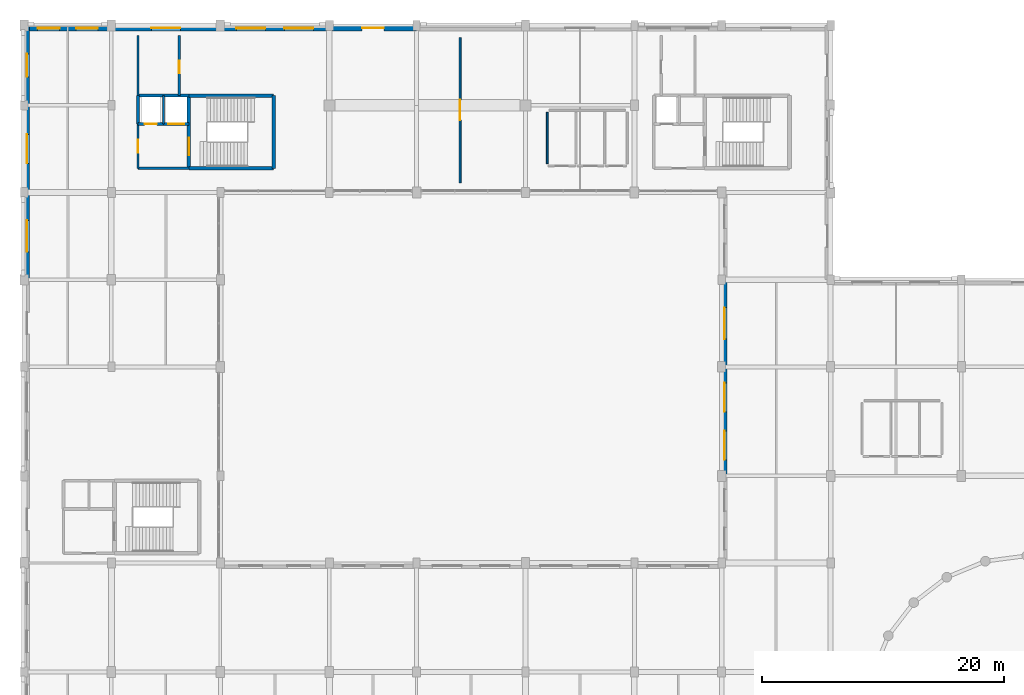
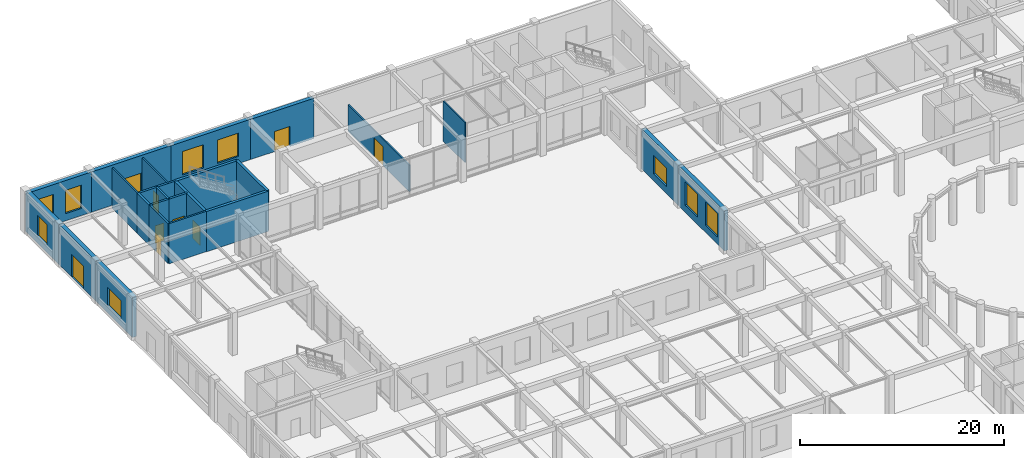
# One storey, part 49 of 64: 24 walls, 9 doors, 9 windows, 18 openings.
"""IFC4 building model written with IfcOpenShell, lengths in metres."""

from ifc_helpers import new_model, si_unit, direction, frame, frame_2d, origin, place, context, subcontext, project, spatial, rectangle, extrude, material, layer, layer_set, type_object, element, fill, save


model = new_model("IFC4")

# Units and contexts
model_context = context("Model", 3, precision=1e-05, world=origin(), true_north=direction((0.0, 1.0)))
body_context = subcontext(model_context, "Body", "Model", "MODEL_VIEW")
ifc_project = project(units=[si_unit("LENGTHUNIT", "METRE"), si_unit("AREAUNIT", "SQUARE_METRE"), si_unit("VOLUMEUNIT", "CUBIC_METRE"), si_unit("PLANEANGLEUNIT", "RADIAN"), si_unit("MASSUNIT", "GRAM", prefix="KILO")], contexts=[model_context])

# Site, building, storey
site_placement = place(None, origin())
site = spatial("IfcSite", under=ifc_project, at=site_placement, CompositionType="ELEMENT")
building_placement = place(site_placement, origin())
building = spatial("IfcBuilding", under=site, at=building_placement, Name="Clarverna Civic Hall", CompositionType="ELEMENT")
storey_placement = place(building_placement, origin())
storey = spatial("IfcBuildingStorey", under=building, at=storey_placement, Name="L00", CompositionType="ELEMENT", Elevation=0.0)

# Wall, opening, window
ifc_material_1 = material(Name="Precast concrete C40/50", Category="concrete")
ifc_layer_1 = layer(ifc_material_1, 0.449951171875)
ifc_layer_set_1 = layer_set([ifc_layer_1], Name="Precast concrete C40/50")
wall_type_1 = type_object("IfcWallType", Name="EW-01", PredefinedType="SOLIDWALL", material=ifc_layer_set_1)
wall_1_placement = place(storey_placement, frame((0.22509765625, 95.0, 0.0), z_axis=(0.0, 0.0, 1.0), x_axis=(0.0, 1.0, 0.0)))
wall_1 = element("IfcWall", 1, at=wall_1_placement, inside=storey, type_object=wall_type_1, Name="EW-01-013", PredefinedType="SOLIDWALL", context=body_context, shape_type="SweptSolid", body=[
    extrude(rectangle(XDim=7.199951171875, YDim=0.449951171875, at=frame_2d((3.60009765625, 0.0))), origin(), (0.0, 0.0, 1.0), 4.820068359375),
])
opening_1_placement = place(wall_1_placement, frame((2.300048828125, 0.0, 0.85009765625)))
opening_1 = element("IfcOpeningElement", 2, at=opening_1_placement, cuts=wall_1, Name="Opening WN-18", PredefinedType="OPENING", context=body_context, shape_type="SweptSolid", body=[
    extrude(rectangle(XDim=2.60009765625, YDim=2.199951171875, at=frame_2d((1.300048828125, 1.10009765625))), frame((0.0, 0.23486328125, 0.0), z_axis=(0.0, -1.0, 0.0), x_axis=(1.0, 0.0, 0.0)), (0.0, 0.0, 1.0), 0.469970703125),
])
ifc_material_2 = material(Name="Solar-Control Argon Low-E Double Glazing", Category="glass")
window_type_1 = type_object("IfcWindowType", Name="WN-18", PartitioningType="TRIPLE_PANEL_VERTICAL", PredefinedType="WINDOW", material=ifc_material_2)
window_1_placement = place(opening_1_placement, origin())
window_1 = element("IfcWindow", 3, at=window_1_placement, inside=storey, type_object=window_type_1, Name="WN-18-002", OverallHeight=2.199951171875, OverallWidth=2.60009765625, PartitioningType="TRIPLE_PANEL_VERTICAL", PredefinedType="WINDOW", context=body_context, shape_type="SweptSolid", body=[
    extrude(rectangle(XDim=2.60009765625, YDim=2.199951171875, at=frame_2d((1.300048828125, 1.10009765625))), frame((0.0, 0.030029296875, 0.0), z_axis=(0.0, -1.0, 0.0), x_axis=(1.0, 0.0, 0.0)), (0.0, 0.0, 1.0), 0.06005859375),
])
fill(opening_1, window_1)

# Wall, opening, door
wall_2_placement = place(storey_placement, frame((0.22509765625, 102.199951171875, 0.0), z_axis=(0.0, 0.0, 1.0), x_axis=(0.0, 1.0, 0.0)))
wall_2 = element("IfcWall", 4, at=wall_2_placement, inside=storey, type_object=wall_type_1, Name="EW-01-014", PredefinedType="SOLIDWALL", context=body_context, shape_type="SweptSolid", body=[
    extrude(rectangle(XDim=7.199951171875, YDim=0.449951171875, at=frame_2d((3.60009765625, 0.0))), origin(), (0.0, 0.0, 1.0), 4.820068359375),
])
opening_2_placement = place(wall_2_placement, frame((2.39990234375, 0.0, 0.0)))
opening_2 = element("IfcOpeningElement", 5, at=opening_2_placement, cuts=wall_2, Name="Opening ED-01", PredefinedType="OPENING", context=body_context, shape_type="SweptSolid", body=[
    extrude(rectangle(XDim=2.39990234375, YDim=2.699951171875, at=frame_2d((1.199951171875, 1.35009765625))), frame((0.0, 0.23486328125, 0.0), z_axis=(0.0, -1.0, 0.0), x_axis=(1.0, 0.0, 0.0)), (0.0, 0.0, 1.0), 0.469970703125),
])
ifc_material_3 = material(Name="Anodised Bronze Glazed Door")
door_type_1 = type_object("IfcDoorType", Name="ED-01", OperationType="DOUBLE_DOOR_SINGLE_SWING", PredefinedType="DOOR", material=ifc_material_3)
door_1_placement = place(opening_2_placement, origin())
door_1 = element("IfcDoor", 6, at=door_1_placement, inside=storey, type_object=door_type_1, Name="ED-01-002", OperationType="DOUBLE_DOOR_SINGLE_SWING", OverallHeight=2.699951171875, OverallWidth=2.39990234375, PredefinedType="DOOR", context=body_context, shape_type="SweptSolid", body=[
    extrude(rectangle(XDim=2.39990234375, YDim=2.699951171875, at=frame_2d((1.199951171875, 1.35009765625))), frame((0.0, 0.02490234375, 0.0), z_axis=(0.0, -1.0, 0.0), x_axis=(1.0, 0.0, 0.0)), (0.0, 0.0, 1.0), 0.050048828125),
])
fill(opening_2, door_1)

# Wall, opening, window
wall_3_placement = place(storey_placement, frame((0.22509765625, 109.39990234375, 0.0), z_axis=(0.0, 0.0, 1.0), x_axis=(0.0, 1.0, 0.0)))
wall_3 = element("IfcWall", 7, at=wall_3_placement, inside=storey, type_object=wall_type_1, Name="EW-01-015", PredefinedType="SOLIDWALL", context=body_context, shape_type="SweptSolid", body=[
    extrude(rectangle(XDim=6.60009765625, YDim=0.449951171875, at=frame_2d((3.300048828125, 0.0))), origin(), (0.0, 0.0, 1.0), 4.820068359375),
])
opening_3_placement = place(wall_3_placement, frame((2.35009765625, 0.0, 0.85009765625)))
opening_3 = element("IfcOpeningElement", 8, at=opening_3_placement, cuts=wall_3, Name="Opening WN-30", PredefinedType="OPENING", context=body_context, shape_type="SweptSolid", body=[
    extrude(rectangle(XDim=1.89990234375, YDim=2.5, at=frame_2d((0.949951171875, 1.25))), frame((0.0, 0.23486328125, 0.0), z_axis=(0.0, -1.0, 0.0), x_axis=(1.0, 0.0, 0.0)), (0.0, 0.0, 1.0), 0.469970703125),
])
window_type_2 = type_object("IfcWindowType", Name="WN-30", PartitioningType="DOUBLE_PANEL_VERTICAL", PredefinedType="WINDOW", material=ifc_material_2)
window_2_placement = place(opening_3_placement, origin())
window_2 = element("IfcWindow", 9, at=window_2_placement, inside=storey, type_object=window_type_2, Name="WN-30-003", OverallHeight=2.5, OverallWidth=1.89990234375, PartitioningType="DOUBLE_PANEL_VERTICAL", PredefinedType="WINDOW", context=body_context, shape_type="SweptSolid", body=[
    extrude(rectangle(XDim=1.89990234375, YDim=2.5, at=frame_2d((0.949951171875, 1.25))), frame((0.0, 0.030029296875, 0.0), z_axis=(0.0, -1.0, 0.0), x_axis=(1.0, 0.0, 0.0)), (0.0, 0.0, 1.0), 0.06005859375),
])
fill(opening_3, window_2)

# Wall, openings, windows
wall_4_placement = place(storey_placement, frame((0.0, 115.77490234375, 0.0), z_axis=(0.0, 0.0, 1.0), x_axis=(1.0, 0.0, 0.0)))
wall_4 = element("IfcWall", 10, at=wall_4_placement, inside=storey, type_object=wall_type_1, Name="EW-01-016", PredefinedType="SOLIDWALL", context=body_context, shape_type="SweptSolid", body=[
    extrude(rectangle(XDim=7.199951171875, YDim=0.449951171875, at=frame_2d((3.60009765625, 0.0))), origin(), (0.0, 0.0, 1.0), 4.820068359375),
])
opening_4_placement = place(wall_4_placement, frame((1.115966796875, 0.0, 0.85009765625)))
opening_4 = element("IfcOpeningElement", 11, at=opening_4_placement, cuts=wall_4, Name="Opening WN-01", PredefinedType="OPENING", context=body_context, shape_type="SweptSolid", body=[
    extrude(rectangle(XDim=1.800048828125, YDim=2.800048828125, at=frame_2d((0.89990234375, 1.39990234375))), frame((0.0, 0.23486328125, 0.0), z_axis=(0.0, -1.0, 0.0), x_axis=(1.0, 0.0, 0.0)), (0.0, 0.0, 1.0), 0.469970703125),
])
opening_5_placement = place(wall_4_placement, frame((4.283935546875, 0.0, 0.85009765625)))
opening_5 = element("IfcOpeningElement", 12, at=opening_5_placement, cuts=wall_4, Name="Opening WN-01", PredefinedType="OPENING", context=body_context, shape_type="SweptSolid", body=[
    extrude(rectangle(XDim=1.800048828125, YDim=2.800048828125, at=frame_2d((0.89990234375, 1.39990234375))), frame((0.0, 0.23486328125, 0.0), z_axis=(0.0, -1.0, 0.0), x_axis=(1.0, 0.0, 0.0)), (0.0, 0.0, 1.0), 0.469970703125),
])
window_type_3 = type_object("IfcWindowType", Name="WN-01", PartitioningType="DOUBLE_PANEL_VERTICAL", PredefinedType="WINDOW", material=ifc_material_2)
window_3_placement = place(opening_4_placement, origin())
window_3 = element("IfcWindow", 13, at=window_3_placement, inside=storey, type_object=window_type_3, Name="WN-01-005", OverallHeight=2.800048828125, OverallWidth=1.800048828125, PartitioningType="DOUBLE_PANEL_VERTICAL", PredefinedType="WINDOW", context=body_context, shape_type="SweptSolid", body=[
    extrude(rectangle(XDim=1.800048828125, YDim=2.800048828125, at=frame_2d((0.89990234375, 1.39990234375))), frame((0.0, 0.030029296875, 0.0), z_axis=(0.0, -1.0, 0.0), x_axis=(1.0, 0.0, 0.0)), (0.0, 0.0, 1.0), 0.06005859375),
])
fill(opening_4, window_3)
window_4_placement = place(opening_5_placement, origin())
window_4 = element("IfcWindow", 14, at=window_4_placement, inside=storey, type_object=window_type_3, Name="WN-01-006", OverallHeight=2.800048828125, OverallWidth=1.800048828125, PartitioningType="DOUBLE_PANEL_VERTICAL", PredefinedType="WINDOW", context=body_context, shape_type="SweptSolid", body=[
    extrude(rectangle(XDim=1.800048828125, YDim=2.800048828125, at=frame_2d((0.89990234375, 1.39990234375))), frame((0.0, 0.030029296875, 0.0), z_axis=(0.0, -1.0, 0.0), x_axis=(1.0, 0.0, 0.0)), (0.0, 0.0, 1.0), 0.06005859375),
])
fill(opening_5, window_4)

# Wall, opening, door
wall_5_placement = place(storey_placement, frame((7.199951171875, 115.77490234375, 0.0), z_axis=(0.0, 0.0, 1.0), x_axis=(1.0, 0.0, 0.0)))
wall_5 = element("IfcWall", 15, at=wall_5_placement, inside=storey, type_object=wall_type_1, Name="EW-01-017", PredefinedType="SOLIDWALL", context=body_context, shape_type="SweptSolid", body=[
    extrude(rectangle(XDim=9.0, YDim=0.449951171875, at=frame_2d((4.5, 0.0))), origin(), (0.0, 0.0, 1.0), 4.820068359375),
])
opening_6_placement = place(wall_5_placement, frame((3.300048828125, 0.0, 0.0)))
opening_6 = element("IfcOpeningElement", 16, at=opening_6_placement, cuts=wall_5, Name="Opening ED-01", PredefinedType="OPENING", context=body_context, shape_type="SweptSolid", body=[
    extrude(rectangle(XDim=2.39990234375, YDim=2.699951171875, at=frame_2d((1.199951171875, 1.35009765625))), frame((0.0, 0.23486328125, 0.0), z_axis=(0.0, -1.0, 0.0), x_axis=(1.0, 0.0, 0.0)), (0.0, 0.0, 1.0), 0.469970703125),
])
door_2_placement = place(opening_6_placement, origin())
door_2 = element("IfcDoor", 17, at=door_2_placement, inside=storey, type_object=door_type_1, Name="ED-01-003", OperationType="DOUBLE_DOOR_SINGLE_SWING", OverallHeight=2.699951171875, OverallWidth=2.39990234375, PredefinedType="DOOR", context=body_context, shape_type="SweptSolid", body=[
    extrude(rectangle(XDim=2.39990234375, YDim=2.699951171875, at=frame_2d((1.199951171875, 1.35009765625))), frame((0.0, 0.02490234375, 0.0), z_axis=(0.0, -1.0, 0.0), x_axis=(1.0, 0.0, 0.0)), (0.0, 0.0, 1.0), 0.050048828125),
])
fill(opening_6, door_2)

# Wall, openings, windows
wall_6_placement = place(storey_placement, frame((16.199951171875, 115.77490234375, 0.0), z_axis=(0.0, 0.0, 1.0), x_axis=(1.0, 0.0, 0.0)))
wall_6 = element("IfcWall", 18, at=wall_6_placement, inside=storey, type_object=wall_type_1, Name="EW-01-018", PredefinedType="SOLIDWALL", context=body_context, shape_type="SweptSolid", body=[
    extrude(rectangle(XDim=9.0, YDim=0.449951171875, at=frame_2d((4.5, 0.0))), origin(), (0.0, 0.0, 1.0), 4.820068359375),
])
opening_7_placement = place(wall_6_placement, frame((1.320068359375, 0.0, 0.85009765625)))
opening_7 = element("IfcOpeningElement", 19, at=opening_7_placement, cuts=wall_6, Name="Opening WN-02", PredefinedType="OPENING", context=body_context, shape_type="SweptSolid", body=[
    extrude(rectangle(XDim=2.39990234375, YDim=2.800048828125, at=frame_2d((1.199951171875, 1.39990234375))), frame((0.0, 0.23486328125, 0.0), z_axis=(0.0, -1.0, 0.0), x_axis=(1.0, 0.0, 0.0)), (0.0, 0.0, 1.0), 0.469970703125),
])
opening_8_placement = place(wall_6_placement, frame((5.280029296875, 0.0, 0.85009765625)))
opening_8 = element("IfcOpeningElement", 20, at=opening_8_placement, cuts=wall_6, Name="Opening WN-02", PredefinedType="OPENING", context=body_context, shape_type="SweptSolid", body=[
    extrude(rectangle(XDim=2.39990234375, YDim=2.800048828125, at=frame_2d((1.199951171875, 1.39990234375))), frame((0.0, 0.23486328125, 0.0), z_axis=(0.0, -1.0, 0.0), x_axis=(1.0, 0.0, 0.0)), (0.0, 0.0, 1.0), 0.469970703125),
])
window_type_4 = type_object("IfcWindowType", Name="WN-02", PartitioningType="TRIPLE_PANEL_VERTICAL", PredefinedType="WINDOW", material=ifc_material_2)
window_5_placement = place(opening_7_placement, origin())
window_5 = element("IfcWindow", 21, at=window_5_placement, inside=storey, type_object=window_type_4, Name="WN-02-003", OverallHeight=2.800048828125, OverallWidth=2.39990234375, PartitioningType="TRIPLE_PANEL_VERTICAL", PredefinedType="WINDOW", context=body_context, shape_type="SweptSolid", body=[
    extrude(rectangle(XDim=2.39990234375, YDim=2.800048828125, at=frame_2d((1.199951171875, 1.39990234375))), frame((0.0, 0.030029296875, 0.0), z_axis=(0.0, -1.0, 0.0), x_axis=(1.0, 0.0, 0.0)), (0.0, 0.0, 1.0), 0.06005859375),
])
fill(opening_7, window_5)
window_6_placement = place(opening_8_placement, origin())
window_6 = element("IfcWindow", 22, at=window_6_placement, inside=storey, type_object=window_type_4, Name="WN-02-004", OverallHeight=2.800048828125, OverallWidth=2.39990234375, PartitioningType="TRIPLE_PANEL_VERTICAL", PredefinedType="WINDOW", context=body_context, shape_type="SweptSolid", body=[
    extrude(rectangle(XDim=2.39990234375, YDim=2.800048828125, at=frame_2d((1.199951171875, 1.39990234375))), frame((0.0, 0.030029296875, 0.0), z_axis=(0.0, -1.0, 0.0), x_axis=(1.0, 0.0, 0.0)), (0.0, 0.0, 1.0), 0.06005859375),
])
fill(opening_8, window_6)

# Wall, opening, door
wall_7_placement = place(storey_placement, frame((25.199951171875, 115.77490234375, 0.0), z_axis=(0.0, 0.0, 1.0), x_axis=(1.0, 0.0, 0.0)))
wall_7 = element("IfcWall", 23, at=wall_7_placement, inside=storey, type_object=wall_type_1, Name="EW-01-019", PredefinedType="SOLIDWALL", context=body_context, shape_type="SweptSolid", body=[
    extrude(rectangle(XDim=7.199951171875, YDim=0.449951171875, at=frame_2d((3.60009765625, 0.0))), origin(), (0.0, 0.0, 1.0), 4.820068359375),
])
opening_9_placement = place(wall_7_placement, frame((2.699951171875, 0.0, 0.0)))
opening_9 = element("IfcOpeningElement", 24, at=opening_9_placement, cuts=wall_7, Name="Opening ED-02", PredefinedType="OPENING", context=body_context, shape_type="SweptSolid", body=[
    extrude(rectangle(XDim=1.800048828125, YDim=2.39990234375, at=frame_2d((0.89990234375, 1.199951171875))), frame((0.0, 0.23486328125, 0.0), z_axis=(0.0, -1.0, 0.0), x_axis=(1.0, 0.0, 0.0)), (0.0, 0.0, 1.0), 0.469970703125),
])
door_type_2 = type_object("IfcDoorType", Name="ED-02", OperationType="DOUBLE_DOOR_SINGLE_SWING", PredefinedType="DOOR", material=ifc_material_3)
door_3_placement = place(opening_9_placement, origin())
door_3 = element("IfcDoor", 25, at=door_3_placement, inside=storey, type_object=door_type_2, Name="ED-02-006", OperationType="DOUBLE_DOOR_SINGLE_SWING", OverallHeight=2.39990234375, OverallWidth=1.800048828125, PredefinedType="DOOR", context=body_context, shape_type="SweptSolid", body=[
    extrude(rectangle(XDim=1.800048828125, YDim=2.39990234375, at=frame_2d((0.89990234375, 1.199951171875))), frame((0.0, 0.02490234375, 0.0), z_axis=(0.0, -1.0, 0.0), x_axis=(1.0, 0.0, 0.0)), (0.0, 0.0, 1.0), 0.050048828125),
])
fill(opening_9, door_3)

# Wall, openings, windows
wall_8_placement = place(storey_placement, frame((57.824951171875, 78.800048828125, 0.0), z_axis=(0.0, 0.0, 1.0), x_axis=(0.0, 1.0, 0.0)))
wall_8 = element("IfcWall", 26, at=wall_8_placement, inside=storey, type_object=wall_type_1, Name="EW-01-092", PredefinedType="SOLIDWALL", context=body_context, shape_type="SweptSolid", body=[
    extrude(rectangle(XDim=9.0, YDim=0.449951171875, at=frame_2d((4.5, 0.0))), origin(), (0.0, 0.0, 1.0), 4.820068359375),
])
opening_10_placement = place(wall_8_placement, frame((1.320068359375, 0.0, 0.85009765625)))
opening_10 = element("IfcOpeningElement", 27, at=opening_10_placement, cuts=wall_8, Name="Opening WN-02", PredefinedType="OPENING", context=body_context, shape_type="SweptSolid", body=[
    extrude(rectangle(XDim=2.39990234375, YDim=2.800048828125, at=frame_2d((1.199951171875, 1.39990234375))), frame((0.0, 0.23486328125, 0.0), z_axis=(0.0, -1.0, 0.0), x_axis=(1.0, 0.0, 0.0)), (0.0, 0.0, 1.0), 0.469970703125),
])
opening_11_placement = place(wall_8_placement, frame((5.280029296875, 0.0, 0.85009765625)))
opening_11 = element("IfcOpeningElement", 28, at=opening_11_placement, cuts=wall_8, Name="Opening WN-02", PredefinedType="OPENING", context=body_context, shape_type="SweptSolid", body=[
    extrude(rectangle(XDim=2.39990234375, YDim=2.800048828125, at=frame_2d((1.199951171875, 1.39990234375))), frame((0.0, 0.23486328125, 0.0), z_axis=(0.0, -1.0, 0.0), x_axis=(1.0, 0.0, 0.0)), (0.0, 0.0, 1.0), 0.469970703125),
])
window_7_placement = place(opening_10_placement, origin())
window_7 = element("IfcWindow", 29, at=window_7_placement, inside=storey, type_object=window_type_4, Name="WN-02-016", OverallHeight=2.800048828125, OverallWidth=2.39990234375, PartitioningType="TRIPLE_PANEL_VERTICAL", PredefinedType="WINDOW", context=body_context, shape_type="SweptSolid", body=[
    extrude(rectangle(XDim=2.39990234375, YDim=2.800048828125, at=frame_2d((1.199951171875, 1.39990234375))), frame((0.0, 0.030029296875, 0.0), z_axis=(0.0, -1.0, 0.0), x_axis=(1.0, 0.0, 0.0)), (0.0, 0.0, 1.0), 0.06005859375),
])
fill(opening_10, window_7)
window_8_placement = place(opening_11_placement, origin())
window_8 = element("IfcWindow", 30, at=window_8_placement, inside=storey, type_object=window_type_4, Name="WN-02-017", OverallHeight=2.800048828125, OverallWidth=2.39990234375, PartitioningType="TRIPLE_PANEL_VERTICAL", PredefinedType="WINDOW", context=body_context, shape_type="SweptSolid", body=[
    extrude(rectangle(XDim=2.39990234375, YDim=2.800048828125, at=frame_2d((1.199951171875, 1.39990234375))), frame((0.0, 0.030029296875, 0.0), z_axis=(0.0, -1.0, 0.0), x_axis=(1.0, 0.0, 0.0)), (0.0, 0.0, 1.0), 0.06005859375),
])
fill(opening_11, window_8)

# Wall, opening, window
wall_9_placement = place(storey_placement, frame((57.824951171875, 87.800048828125, 0.0), z_axis=(0.0, 0.0, 1.0), x_axis=(0.0, 1.0, 0.0)))
wall_9 = element("IfcWall", 31, at=wall_9_placement, inside=storey, type_object=wall_type_1, Name="EW-01-093", PredefinedType="SOLIDWALL", context=body_context, shape_type="SweptSolid", body=[
    extrude(rectangle(XDim=7.199951171875, YDim=0.449951171875, at=frame_2d((3.60009765625, 0.0))), origin(), (0.0, 0.0, 1.0), 4.820068359375),
])
opening_12_placement = place(wall_9_placement, frame((2.300048828125, 0.0, 0.85009765625)))
opening_12 = element("IfcOpeningElement", 32, at=opening_12_placement, cuts=wall_9, Name="Opening WN-18", PredefinedType="OPENING", context=body_context, shape_type="SweptSolid", body=[
    extrude(rectangle(XDim=2.60009765625, YDim=2.199951171875, at=frame_2d((1.300048828125, 1.10009765625))), frame((0.0, 0.23486328125, 0.0), z_axis=(0.0, -1.0, 0.0), x_axis=(1.0, 0.0, 0.0)), (0.0, 0.0, 1.0), 0.469970703125),
])
window_9_placement = place(opening_12_placement, origin())
window_9 = element("IfcWindow", 33, at=window_9_placement, inside=storey, type_object=window_type_1, Name="WN-18-012", OverallHeight=2.199951171875, OverallWidth=2.60009765625, PartitioningType="TRIPLE_PANEL_VERTICAL", PredefinedType="WINDOW", context=body_context, shape_type="SweptSolid", body=[
    extrude(rectangle(XDim=2.60009765625, YDim=2.199951171875, at=frame_2d((1.300048828125, 1.10009765625))), frame((0.0, 0.030029296875, 0.0), z_axis=(0.0, -1.0, 0.0), x_axis=(1.0, 0.0, 0.0)), (0.0, 0.0, 1.0), 0.06005859375),
])
fill(opening_12, window_9)

# Wall, opening, door
ifc_material_4 = material(Name="Acoustic Gypsum Plasterboard Partition", Category="gypsum")
ifc_layer_2 = layer(ifc_material_4, 0.159912109375)
ifc_layer_set_2 = layer_set([ifc_layer_2], Name="Acoustic Gypsum Plasterboard Partition")
wall_type_2 = type_object("IfcWallType", Name="PW-01", PredefinedType="PARTITIONING", material=ifc_layer_set_2)
wall_10_placement = place(storey_placement, frame((36.0, 103.0, 0.0), z_axis=(0.0, 0.0, 1.0), x_axis=(0.0, 1.0, 0.0)))
wall_10 = element("IfcWall", 34, at=wall_10_placement, inside=storey, type_object=wall_type_2, Name="PW-01-001", PredefinedType="PARTITIONING", context=body_context, shape_type="SweptSolid", body=[
    extrude(rectangle(XDim=12.0, YDim=0.159912109375, at=frame_2d((6.0, 0.0))), origin(), (0.0, 0.0, 1.0), 3.169921875),
])
opening_13_placement = place(wall_10_placement, frame((5.14990234375, 0.0, 0.0)))
opening_13 = element("IfcOpeningElement", 35, at=opening_13_placement, cuts=wall_10, Name="Opening ID-04", PredefinedType="OPENING", context=body_context, shape_type="SweptSolid", body=[
    extrude(rectangle(XDim=1.699951171875, YDim=2.300048828125, at=frame_2d((0.85009765625, 1.14990234375))), frame((0.0, 0.08984375, 0.0), z_axis=(0.0, -1.0, 0.0), x_axis=(1.0, 0.0, 0.0)), (0.0, 0.0, 1.0), 0.179931640625),
])
ifc_material_5 = material(Name="Glazed Bronze-Framed Oak Double Door")
door_type_3 = type_object("IfcDoorType", Name="ID-04", OperationType="DOUBLE_DOOR_SINGLE_SWING", PredefinedType="DOOR", material=ifc_material_5)
door_4_placement = place(opening_13_placement, origin())
door_4 = element("IfcDoor", 36, at=door_4_placement, inside=storey, type_object=door_type_3, Name="ID-04-001", OperationType="DOUBLE_DOOR_SINGLE_SWING", OverallHeight=2.300048828125, OverallWidth=1.699951171875, PredefinedType="DOOR", context=body_context, shape_type="SweptSolid", body=[
    extrude(rectangle(XDim=1.699951171875, YDim=2.300048828125, at=frame_2d((0.85009765625, 1.14990234375))), frame((0.0, 0.02490234375, 0.0), z_axis=(0.0, -1.0, 0.0), x_axis=(1.0, 0.0, 0.0)), (0.0, 0.0, 1.0), 0.050048828125),
])
fill(opening_13, door_4)

# Wall
ifc_material_6 = material(Name="Ceramic Brick and Plaster Wet-Room Partition", Category="masonry")
ifc_layer_3 = layer(ifc_material_6, 0.139892578125)
ifc_layer_set_3 = layer_set([ifc_layer_3], Name="Ceramic Brick and Plaster Wet-Room Partition")
wall_type_3 = type_object("IfcWallType", Name="PW-02", PredefinedType="PARTITIONING", material=ifc_layer_set_3)
wall_11_placement = place(storey_placement, frame((43.199951171875, 104.580078125, 0.0), z_axis=(0.0, 0.0, 1.0), x_axis=(0.0, 1.0, 0.0)))
element("IfcWall", 37, at=wall_11_placement, inside=storey, type_object=wall_type_3, Name="PW-02-122", PredefinedType="PARTITIONING", context=body_context, shape_type="SweptSolid", body=[
    extrude(rectangle(XDim=4.239990234375, YDim=0.139892578125, at=frame_2d((2.1201171875, 0.0))), origin(), (0.0, 0.0, 1.0), 4.820068359375),
])

# Wall, opening, door
ifc_material_7 = material(Name="Acoustic Gypsum Plasterboard on Twin Frame", Category="gypsum")
ifc_layer_4 = layer(ifc_material_7, 0.18994140625)
ifc_layer_set_4 = layer_set([ifc_layer_4], Name="Acoustic Gypsum Plasterboard on Twin Frame")
wall_type_4 = type_object("IfcWallType", Name="PW-06", PredefinedType="PARTITIONING", material=ifc_layer_set_4)
wall_12_placement = place(storey_placement, frame((9.39990234375, 104.199951171875, 0.0), z_axis=(0.0, 0.0, 1.0), x_axis=(0.0, 1.0, 0.0)))
wall_12 = element("IfcWall", 38, at=wall_12_placement, inside=storey, type_object=wall_type_4, Name="PW-06-059", PredefinedType="PARTITIONING", context=body_context, shape_type="SweptSolid", body=[
    extrude(rectangle(XDim=3.650146484375, YDim=0.18994140625, at=frame_2d((1.8251953125, 0.0))), origin(), (0.0, 0.0, 1.0), 4.820068359375),
])
opening_14_placement = place(wall_12_placement, frame((1.300048828125, 0.0, 0.0)))
opening_14 = element("IfcOpeningElement", 39, at=opening_14_placement, cuts=wall_12, Name="Opening FD-02", PredefinedType="OPENING", context=body_context, shape_type="SweptSolid", body=[
    extrude(rectangle(XDim=1.050048828125, YDim=2.14990234375, at=frame_2d((0.52490234375, 1.074951171875))), frame((0.0, 0.10498046875, 0.0), z_axis=(0.0, -1.0, 0.0), x_axis=(1.0, 0.0, 0.0)), (0.0, 0.0, 1.0), 0.2099609375),
])
ifc_material_8 = material(Name="Acoustic Timber-Faced Fire Door", Category="wood")
door_type_4 = type_object("IfcDoorType", Name="FD-02", OperationType="NOTDEFINED", PredefinedType="DOOR", material=ifc_material_8)
door_5_placement = place(opening_14_placement, origin())
door_5 = element("IfcDoor", 40, at=door_5_placement, inside=storey, type_object=door_type_4, Name="FD-02-055", OperationType="SINGLE_SWING_RIGHT", OverallHeight=2.14990234375, OverallWidth=1.050048828125, PredefinedType="DOOR", context=body_context, shape_type="SweptSolid", body=[
    extrude(rectangle(XDim=1.050048828125, YDim=2.14990234375, at=frame_2d((0.52490234375, 1.074951171875))), frame((0.0, 0.02490234375, 0.0), z_axis=(0.0, -1.0, 0.0), x_axis=(1.0, 0.0, 0.0)), (0.0, 0.0, 1.0), 0.050048828125),
])
fill(opening_14, door_5)

# Walls
wall_13_placement = place(storey_placement, frame((9.39990234375, 104.199951171875, 0.0), z_axis=(0.0, 0.0, 1.0), x_axis=(1.0, 0.0, 0.0)))
element("IfcWall", 41, at=wall_13_placement, inside=storey, type_object=wall_type_4, Name="PW-06-060", PredefinedType="PARTITIONING", context=body_context, shape_type="SweptSolid", body=[
    extrude(rectangle(XDim=4.2001953125, YDim=0.18994140625, at=frame_2d((2.10009765625, 0.0))), origin(), (0.0, 0.0, 1.0), 4.820068359375),
])
wall_14_placement = place(storey_placement, frame((9.39990234375, 110.199951171875, 0.0), z_axis=(0.0, 0.0, 1.0), x_axis=(0.0, 1.0, 0.0)))
element("IfcWall", 42, at=wall_14_placement, inside=storey, type_object=wall_type_4, Name="PW-06-127", PredefinedType="PARTITIONING", context=body_context, shape_type="SweptSolid", body=[
    extrude(rectangle(XDim=4.949951171875, YDim=0.18994140625, at=frame_2d((2.47509765625, 0.0))), origin(), (0.0, 0.0, 1.0), 4.820068359375),
])

# Wall, opening, door
wall_15_placement = place(storey_placement, frame((12.800048828125, 110.199951171875, 0.0), z_axis=(0.0, 0.0, 1.0), x_axis=(0.0, 1.0, 0.0)))
wall_15 = element("IfcWall", 43, at=wall_15_placement, inside=storey, type_object=wall_type_4, Name="PW-06-128", PredefinedType="PARTITIONING", context=body_context, shape_type="SweptSolid", body=[
    extrude(rectangle(XDim=4.949951171875, YDim=0.18994140625, at=frame_2d((2.47509765625, 0.0))), origin(), (0.0, 0.0, 1.0), 4.820068359375),
])
opening_15_placement = place(wall_15_placement, frame((1.85009765625, 0.0, 0.0)))
opening_15 = element("IfcOpeningElement", 44, at=opening_15_placement, cuts=wall_15, Name="Opening FD-02", PredefinedType="OPENING", context=body_context, shape_type="SweptSolid", body=[
    extrude(rectangle(XDim=1.050048828125, YDim=2.14990234375, at=frame_2d((0.52490234375, 1.074951171875))), frame((0.0, 0.10498046875, 0.0), z_axis=(0.0, -1.0, 0.0), x_axis=(1.0, 0.0, 0.0)), (0.0, 0.0, 1.0), 0.2099609375),
])
door_6_placement = place(opening_15_placement, origin())
door_6 = element("IfcDoor", 45, at=door_6_placement, inside=storey, type_object=door_type_4, Name="FD-02-116", OperationType="SINGLE_SWING_LEFT", OverallHeight=2.14990234375, OverallWidth=1.050048828125, PredefinedType="DOOR", context=body_context, shape_type="SweptSolid", body=[
    extrude(rectangle(XDim=1.050048828125, YDim=2.14990234375, at=frame_2d((0.52490234375, 1.074951171875))), frame((0.0, 0.02490234375, 0.0), z_axis=(0.0, -1.0, 0.0), x_axis=(1.0, 0.0, 0.0)), (0.0, 0.0, 1.0), 0.050048828125),
])
fill(opening_15, door_6)

ifc_material_9 = material(Name="Concrete C35/45", Category="concrete")
ifc_layer_5 = layer(ifc_material_9, 0.300048828125)
ifc_layer_set_5 = layer_set([ifc_layer_5], Name="Concrete C35/45")
wall_type_5 = type_object("IfcWallType", Name="SW-03", PredefinedType="SHEAR", material=ifc_layer_set_5)
wall_16_placement = place(storey_placement, frame((13.60009765625, 104.199951171875, 0.0), z_axis=(0.0, 0.0, 1.0), x_axis=(0.0, 1.0, 0.0)))
wall_16 = element("IfcWall", 46, at=wall_16_placement, inside=storey, type_object=wall_type_5, Name="SW-03-010", PredefinedType="SHEAR", context=body_context, shape_type="SweptSolid", body=[
    extrude(rectangle(XDim=6.0, YDim=0.300048828125, at=frame_2d((3.0, 0.0))), origin(), (0.0, 0.0, 1.0), 4.820068359375),
])
opening_16_placement = place(wall_16_placement, frame((1.074951171875, 0.0, 0.0)))
opening_16 = element("IfcOpeningElement", 47, at=opening_16_placement, cuts=wall_16, Name="Opening FD-01", PredefinedType="OPENING", context=body_context, shape_type="SweptSolid", body=[
    extrude(rectangle(XDim=1.449951171875, YDim=2.199951171875, at=frame_2d((0.72509765625, 1.10009765625))), frame((0.0, 0.159912109375, 0.0), z_axis=(0.0, -1.0, 0.0), x_axis=(1.0, 0.0, 0.0)), (0.0, 0.0, 1.0), 0.320068359375),
])
door_type_5 = type_object("IfcDoorType", Name="FD-01", OperationType="DOUBLE_DOOR_SINGLE_SWING", PredefinedType="DOOR", material=ifc_material_8)
door_7_placement = place(opening_16_placement, origin())
door_7 = element("IfcDoor", 48, at=door_7_placement, inside=storey, type_object=door_type_5, Name="FD-01-005", OperationType="DOUBLE_DOOR_SINGLE_SWING", OverallHeight=2.199951171875, OverallWidth=1.449951171875, PredefinedType="DOOR", context=body_context, shape_type="SweptSolid", body=[
    extrude(rectangle(XDim=1.449951171875, YDim=2.199951171875, at=frame_2d((0.72509765625, 1.10009765625))), frame((0.0, 0.02490234375, 0.0), z_axis=(0.0, -1.0, 0.0), x_axis=(1.0, 0.0, 0.0)), (0.0, 0.0, 1.0), 0.050048828125),
])
fill(opening_16, door_7)

# Walls
wall_17_placement = place(storey_placement, frame((20.60009765625, 104.199951171875, 0.0), z_axis=(0.0, 0.0, 1.0), x_axis=(0.0, 1.0, 0.0)))
element("IfcWall", 49, at=wall_17_placement, inside=storey, type_object=wall_type_5, Name="SW-03-011", PredefinedType="SHEAR", context=body_context, shape_type="SweptSolid", body=[
    extrude(rectangle(XDim=6.0, YDim=0.300048828125, at=frame_2d((3.0, 0.0))), origin(), (0.0, 0.0, 1.0), 4.820068359375),
])
for number, where, z_axis, x_axis, name in (
    (50, (13.60009765625, 104.199951171875, 0.0), (0.0, 0.0, 1.0), (1.0, 0.0, 0.0), "SW-03-012"),
    (51, (13.60009765625, 110.199951171875, 0.0), (0.0, 0.0, 1.0), (1.0, 0.0, 0.0), "SW-03-013"),
):
    element("IfcWall", number, at=place(storey_placement, frame(where, z_axis=z_axis, x_axis=x_axis)), inside=storey, type_object=wall_type_5, Name=name, PredefinedType="SHEAR", context=body_context, shape_type="SweptSolid", body=[
        extrude(rectangle(XDim=7.0, YDim=0.300048828125, at=frame_2d((3.5, 0.0))), origin(), (0.0, 0.0, 1.0), 4.820068359375),
    ])
wall_18_placement = place(storey_placement, frame((9.39990234375, 110.199951171875, 0.0), z_axis=(0.0, 0.0, 1.0), x_axis=(1.0, 0.0, 0.0)))
element("IfcWall", 52, at=wall_18_placement, inside=storey, type_object=wall_type_5, Name="SW-03-014", PredefinedType="SHEAR", context=body_context, shape_type="SweptSolid", body=[
    extrude(rectangle(XDim=4.2001953125, YDim=0.239990234375, at=frame_2d((2.10009765625, 0.0))), origin(), (0.0, 0.0, 1.0), 4.820068359375),
])
wall_19_placement = place(storey_placement, frame((9.39990234375, 107.85009765625, 0.0), z_axis=(0.0, 0.0, 1.0), x_axis=(0.0, 1.0, 0.0)))
element("IfcWall", 53, at=wall_19_placement, inside=storey, type_object=wall_type_5, Name="SW-03-015", PredefinedType="SHEAR", context=body_context, shape_type="SweptSolid", body=[
    extrude(rectangle(XDim=2.349853515625, YDim=0.239990234375, at=frame_2d((1.1748046875, 0.0))), origin(), (0.0, 0.0, 1.0), 4.820068359375),
])
wall_20_placement = place(storey_placement, frame((11.5, 107.85009765625, 0.0), z_axis=(0.0, 0.0, 1.0), x_axis=(0.0, 1.0, 0.0)))
element("IfcWall", 54, at=wall_20_placement, inside=storey, type_object=wall_type_5, Name="SW-03-016", PredefinedType="SHEAR", context=body_context, shape_type="SweptSolid", body=[
    extrude(rectangle(XDim=2.349853515625, YDim=0.199951171875, at=frame_2d((1.1748046875, 0.0))), origin(), (0.0, 0.0, 1.0), 4.820068359375),
])

# Wall, opening, door
wall_21_placement = place(storey_placement, frame((9.39990234375, 107.85009765625, 0.0), z_axis=(0.0, 0.0, 1.0), x_axis=(1.0, 0.0, 0.0)))
wall_21 = element("IfcWall", 55, at=wall_21_placement, inside=storey, type_object=wall_type_5, Name="SW-03-017", PredefinedType="SHEAR", context=body_context, shape_type="SweptSolid", body=[
    extrude(rectangle(XDim=2.10009765625, YDim=0.239990234375, at=frame_2d((1.050048828125, 0.0))), origin(), (0.0, 0.0, 1.0), 4.820068359375),
])
opening_17_placement = place(wall_21_placement, frame((0.550048828125, 0.0, 0.0)))
opening_17 = element("IfcOpeningElement", 56, at=opening_17_placement, cuts=wall_21, Name="Opening LD-01", PredefinedType="OPENING", context=body_context, shape_type="SweptSolid", body=[
    extrude(rectangle(XDim=1.0, YDim=2.10009765625, at=frame_2d((0.5, 1.050048828125))), frame((0.0, 0.1298828125, 0.0), z_axis=(0.0, -1.0, 0.0), x_axis=(1.0, 0.0, 0.0)), (0.0, 0.0, 1.0), 0.260009765625),
])
ifc_material_10 = material(Name="Brushed Bronze Stainless Lift Landing Door")
door_type_6 = type_object("IfcDoorType", Name="LD-01", OperationType="SLIDING_TO_LEFT", PredefinedType="DOOR", material=ifc_material_10)
door_8_placement = place(opening_17_placement, origin())
door_8 = element("IfcDoor", 57, at=door_8_placement, inside=storey, type_object=door_type_6, Name="LD-01-054", OperationType="SLIDING_TO_LEFT", OverallHeight=2.10009765625, OverallWidth=1.0, PredefinedType="DOOR", context=body_context, shape_type="SweptSolid", body=[
    extrude(rectangle(XDim=1.0, YDim=2.10009765625, at=frame_2d((0.5, 1.050048828125))), frame((0.0, 0.02490234375, 0.0), z_axis=(0.0, -1.0, 0.0), x_axis=(1.0, 0.0, 0.0)), (0.0, 0.0, 1.0), 0.050048828125),
])
fill(opening_17, door_8)

wall_22_placement = place(storey_placement, frame((11.5, 107.85009765625, 0.0), z_axis=(0.0, 0.0, 1.0), x_axis=(1.0, 0.0, 0.0)))
wall_22 = element("IfcWall", 58, at=wall_22_placement, inside=storey, type_object=wall_type_5, Name="SW-03-018", PredefinedType="SHEAR", context=body_context, shape_type="SweptSolid", body=[
    extrude(rectangle(XDim=2.10009765625, YDim=0.239990234375, at=frame_2d((1.050048828125, 0.0))), origin(), (0.0, 0.0, 1.0), 4.820068359375),
])
opening_18_placement = place(wall_22_placement, frame((0.375, 0.0, 0.0)))
opening_18 = element("IfcOpeningElement", 59, at=opening_18_placement, cuts=wall_22, Name="Opening LD-02", PredefinedType="OPENING", context=body_context, shape_type="SweptSolid", body=[
    extrude(rectangle(XDim=1.35009765625, YDim=2.199951171875, at=frame_2d((0.675048828125, 1.10009765625))), frame((0.0, 0.1298828125, 0.0), z_axis=(0.0, -1.0, 0.0), x_axis=(1.0, 0.0, 0.0)), (0.0, 0.0, 1.0), 0.260009765625),
])
door_type_7 = type_object("IfcDoorType", Name="LD-02", OperationType="SLIDING_TO_RIGHT", PredefinedType="DOOR", material=ifc_material_10)
door_9_placement = place(opening_18_placement, origin())
door_9 = element("IfcDoor", 60, at=door_9_placement, inside=storey, type_object=door_type_7, Name="LD-02-002", OperationType="SLIDING_TO_RIGHT", OverallHeight=2.199951171875, OverallWidth=1.35009765625, PredefinedType="DOOR", context=body_context, shape_type="SweptSolid", body=[
    extrude(rectangle(XDim=1.35009765625, YDim=2.199951171875, at=frame_2d((0.675048828125, 1.10009765625))), frame((0.0, 0.02490234375, 0.0), z_axis=(0.0, -1.0, 0.0), x_axis=(1.0, 0.0, 0.0)), (0.0, 0.0, 1.0), 0.050048828125),
])
fill(opening_18, door_9)

save(model, "model.ifc")
